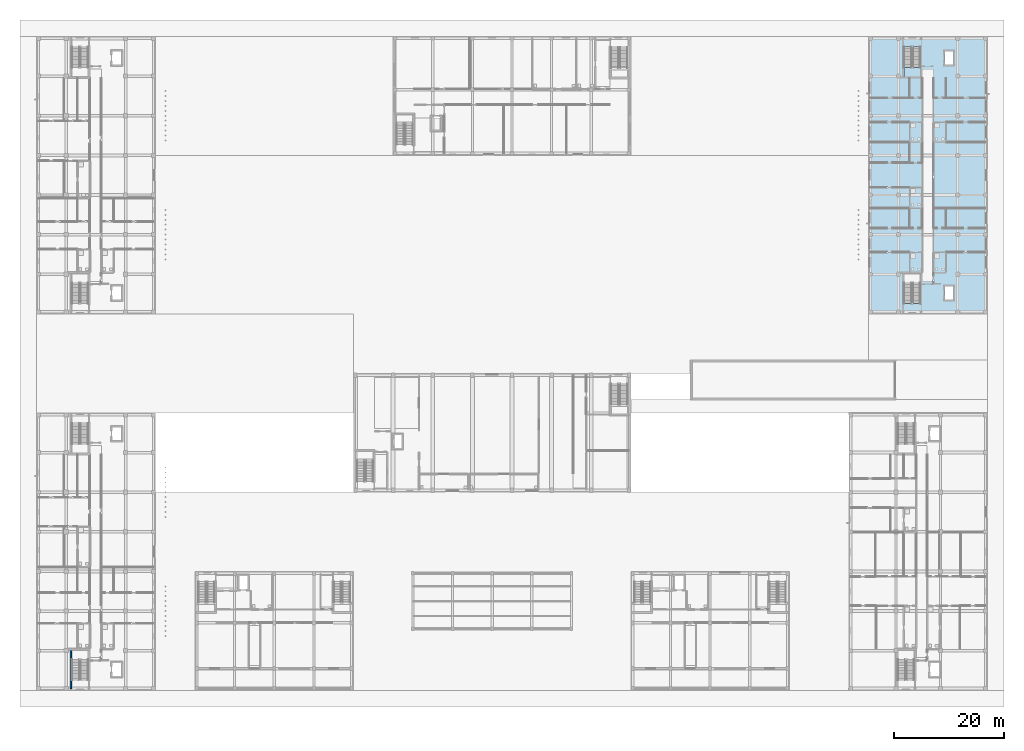
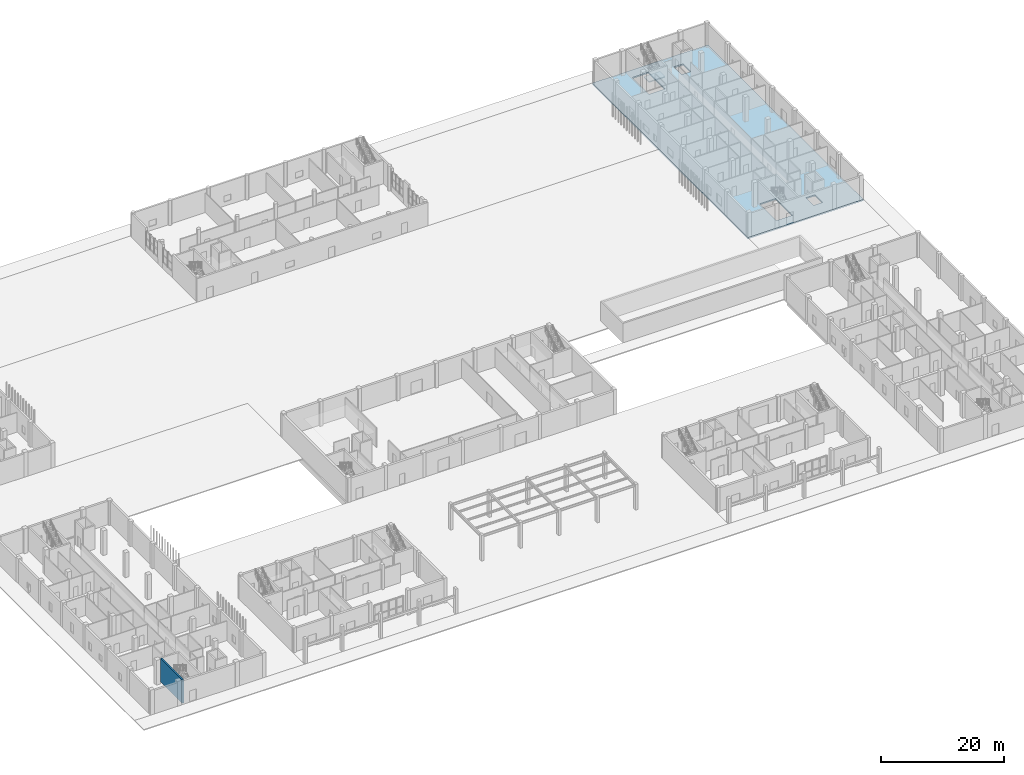
# One storey, part 35 of 85: 2 slabs, 1 wall, 1 element without a shape of its own.
"""IFC4 building model written with IfcOpenShell, lengths in metres."""

from ifc_helpers import new_model, si_unit, derived_unit, direction, frame, frame_2d, origin, place, context, subcontext, project, spatial, polyline, rectangle, outline, extrude, material, layer, layer_set, type_object, element, aggregate, save


model = new_model("IFC4")

# Units and contexts
model_context = context("Model", 3, precision=1e-05, world=origin(), true_north=direction((0.0, 1.0)))
body_context = subcontext(model_context, "Body", "Model", "MODEL_VIEW")
ifc_project = project(units=[si_unit("LENGTHUNIT", "METRE"), si_unit("AREAUNIT", "SQUARE_METRE"), si_unit("VOLUMEUNIT", "CUBIC_METRE"), si_unit("PLANEANGLEUNIT", "RADIAN"), si_unit("MASSUNIT", "GRAM", prefix="KILO"), derived_unit("THERMALTRANSMITTANCEUNIT", [(si_unit("MASSUNIT", "GRAM", prefix="KILO"), 1), (si_unit("TIMEUNIT", "SECOND"), -3), (si_unit("THERMODYNAMICTEMPERATUREUNIT", "KELVIN"), -1)])], contexts=[model_context])

# Site, building, storey
site_placement = place(None, origin())
site = spatial("IfcSite", under=ifc_project, at=site_placement, CompositionType="ELEMENT")
building_placement = place(site_placement, origin())
building = spatial("IfcBuilding", under=site, at=building_placement, Name="Ochrekiln Boulevard Commons", CompositionType="ELEMENT")
storey_placement = place(building_placement, origin())
storey = spatial("IfcBuildingStorey", under=building, at=storey_placement, Name="L00", CompositionType="ELEMENT", Elevation=0.0)

# Slab
ifc_material_1 = material(Name="Concrete C35/45", Category="concrete")
ifc_layer_1 = layer(ifc_material_1, 0.280029296875)
ifc_layer_set_1 = layer_set([ifc_layer_1], Name="Concrete C35/45")
slab_type_1 = type_object("IfcSlabType", Name="SLB-GND-280", PredefinedType="FLOOR", material=ifc_layer_set_1)
slab_1_placement = place(storey_placement, frame((0.0, 0.0, -0.280029296875)))
element("IfcSlab", 1, at=slab_1_placement, inside=storey, type_object=slab_type_1, Name="Block B L00 Reinforced Concrete Floor Slab", PredefinedType="FLOOR", context=body_context, shape_type="SweptSolid", body=[
    extrude(outline(polyline([(151.199951171875, 68.39990234375), (172.800048828125, 68.39990234375), (172.800048828125, 118.800048828125), (151.199951171875, 118.800048828125), (151.199951171875, 68.39990234375)]), holes=[polyline([(160.60009765625, 70.2705078125), (160.60009765625, 75.719970703125), (157.60009765625, 75.719970703125), (157.60009765625, 70.2705078125), (160.60009765625, 70.2705078125)]), polyline([(157.60009765625, 116.929443359375), (157.60009765625, 111.47998046875), (160.60009765625, 111.47998046875), (160.60009765625, 116.929443359375), (157.60009765625, 116.929443359375)]), polyline([(164.949951171875, 70.949951171875), (166.64990234375, 70.949951171875), (166.64990234375, 73.449951171875), (164.949951171875, 73.449951171875), (164.949951171875, 70.949951171875)]), polyline([(164.949951171875, 113.64990234375), (166.64990234375, 113.64990234375), (166.64990234375, 116.14990234375), (164.949951171875, 116.14990234375), (164.949951171875, 113.64990234375)])]), origin(), (0.0, 0.0, 1.0), 0.280029296875),
])

# Stair, slab
stair_type = type_object("IfcStairType", Name="STR-DL-490", PredefinedType="TWO_STRAIGHT_RUN_STAIR", material=ifc_material_1)
stair_placement = place(storey_placement, origin())
stair = element("IfcStair", 2, at=stair_placement, inside=storey, type_object=stair_type, Name="L00 Enclosed Exit Stair ST-B2", PredefinedType="TWO_STRAIGHT_RUN_STAIR")
ifc_layer_2 = layer(ifc_material_1, 0.199951171875)
ifc_layer_set_2 = layer_set([ifc_layer_2], Name="Concrete C35/45")
slab_type_2 = type_object("IfcSlabType", Name="SLB-LND-200", PredefinedType="LANDING", material=ifc_layer_set_2)
slab_2_placement = place(storey_placement, frame((0.0, 0.0, 2.25)))
slab_2 = element("IfcSlab", 3, at=slab_2_placement, type_object=slab_type_2, Name="ST-B2 landing 1", PredefinedType="LANDING", context=body_context, shape_type="SweptSolid", body=[
    extrude(outline(polyline([(157.60009765625, 113.159912109375), (157.60009765625, 111.47998046875), (160.60009765625, 111.47998046875), (160.60009765625, 113.159912109375), (157.60009765625, 113.159912109375)])), origin(), (0.0, 0.0, 1.0), 0.199951171875),
])
aggregate(stair, [slab_2])

# Wall
ifc_material_2 = material(Name="Concrete C40/50", Category="concrete")
ifc_layer_3 = layer(ifc_material_2, 0.300048828125)
ifc_layer_set_3 = layer_set([ifc_layer_3], Name="Concrete C40/50")
wall_type = type_object("IfcWallType", Name="WL-SH-300", PredefinedType="SHEAR", material=ifc_layer_set_3)
wall_placement = place(storey_placement, frame((6.25, 0.320068359375, 0.0), z_axis=(0.0, 0.0, 1.0), x_axis=(0.0, 1.0, 0.0)))
element("IfcWall", 4, at=wall_placement, inside=storey, type_object=wall_type, Name="Stair ST-D1 L00 Core Shear Wall W", PredefinedType="SHEAR", context=body_context, shape_type="SweptSolid", body=[
    extrude(rectangle(XDim=7.0, YDim=0.300048828125, at=frame_2d((3.5, 0.0))), origin(), (0.0, 0.0, 1.0), 4.639892578125),
])

save(model, "model.ifc")
